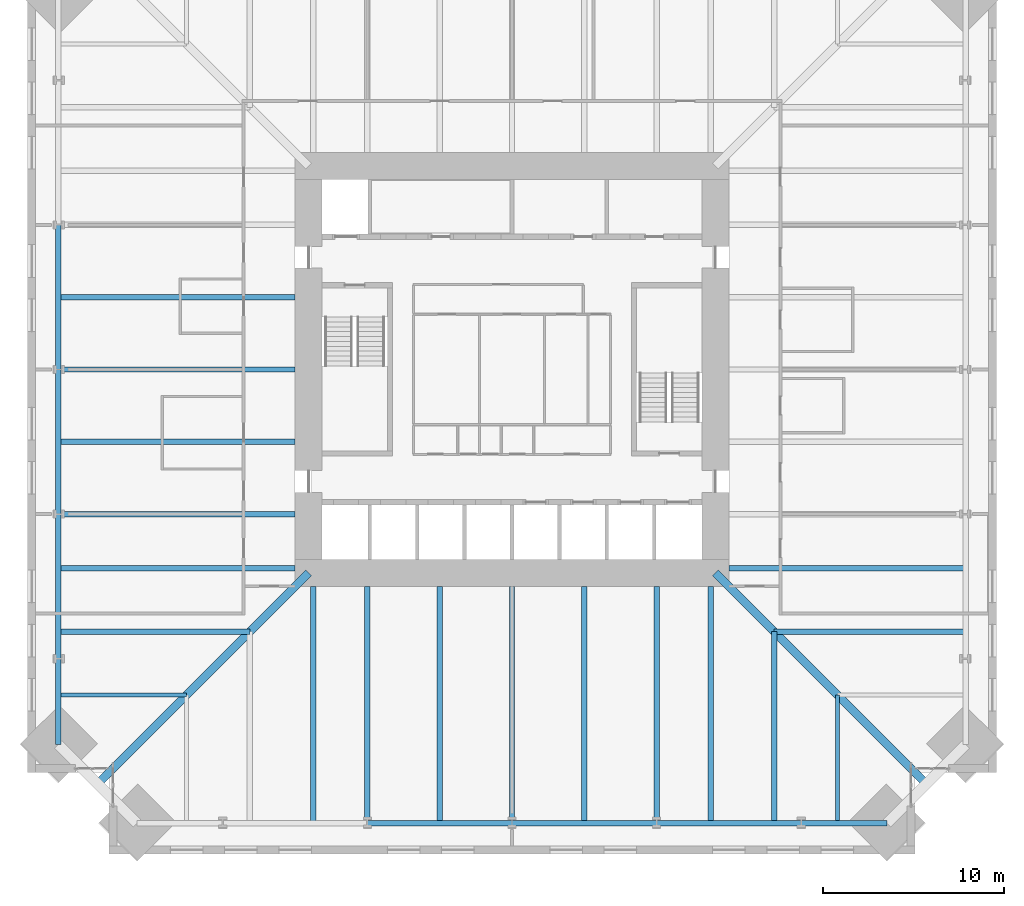
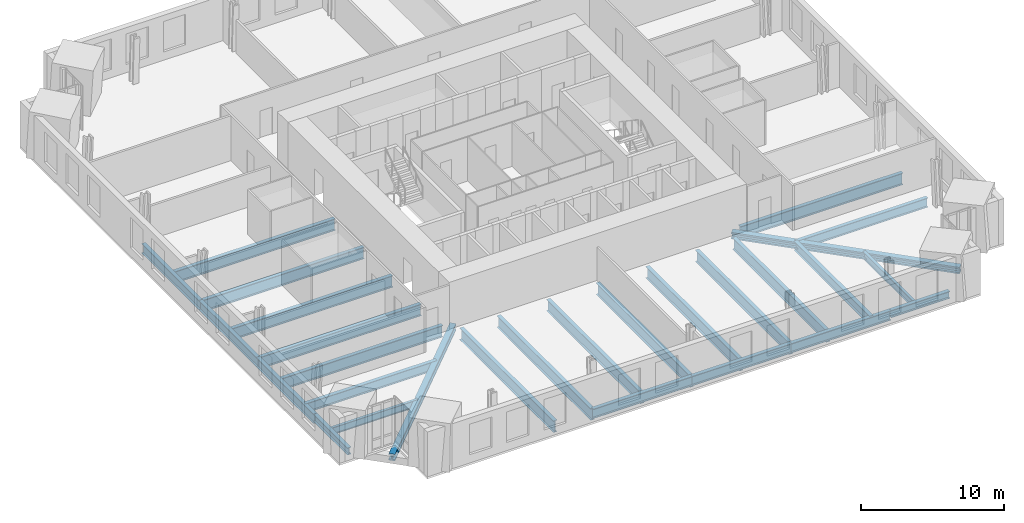
# One storey, part 3 of 17: 28 beams.
"""IFC4 building model written with IfcOpenShell, lengths in metres."""

from ifc_helpers import new_model, si_unit, direction, frame, origin, origin_2d, place, context, subcontext, project, spatial, i_section, extrude, material, material_profile, profile_set, type_object, element, save


model = new_model("IFC4")

# Units and contexts
model_context = context("Model", 3, precision=1e-05, world=origin(), true_north=direction((0.0, 1.0)))
body_context = subcontext(model_context, "Body", "Model", "MODEL_VIEW")
ifc_project = project(units=[si_unit("LENGTHUNIT", "METRE"), si_unit("AREAUNIT", "SQUARE_METRE"), si_unit("VOLUMEUNIT", "CUBIC_METRE"), si_unit("PLANEANGLEUNIT", "RADIAN"), si_unit("MASSUNIT", "GRAM", prefix="KILO")], contexts=[model_context])

# Site, building, storey
site_placement = place(None, origin())
site = spatial("IfcSite", under=ifc_project, at=site_placement, CompositionType="ELEMENT")
building_placement = place(site_placement, origin())
building = spatial("IfcBuilding", under=site, at=building_placement, Name="Peilmerk Tower", CompositionType="ELEMENT")
storey_placement = place(building_placement, frame((0.0, 0.0, 143.800048828125)))
storey = spatial("IfcBuildingStorey", under=building, at=storey_placement, Name="L29", CompositionType="ELEMENT", Elevation=143.800048828125)

# Beams
ifc_material_1 = material(Name="Steel S355", Category="steel")
ifc_material_profile_1 = material_profile(ifc_material_1, i_section(OverallWidth=0.219970703125, OverallDepth=0.60009765625, WebThickness=0.011962890625, FlangeThickness=0.01904296875, at=origin_2d()), Name="IPE 600")
ifc_profile_set_1 = profile_set([ifc_material_profile_1], Name="Steel S355")
beam_type_1 = type_object("IfcBeamType", Name="B10 IPE 600 floor beam", PredefinedType="BEAM", material=ifc_profile_set_1)
for number, where, z_axis, x_axis, name in (
    (1, (18.0, -18.0, -0.469970703125), (0.0, -1.0, 0.0), (1.0, 0.0, 0.0), "Floor beam L29"),
    (2, (-18.0, -18.0, -0.469970703125), (-1.0, 0.0, 0.0), (0.0, -1.0, 0.0), "Floor beam L29"),
):
    element("IfcBeam", number, at=place(storey_placement, frame(where, z_axis=z_axis, x_axis=x_axis)), inside=storey, type_object=beam_type_1, Name=name, PredefinedType="BEAM", context=body_context, shape_type="SweptSolid", body=[
        extrude(i_section(OverallWidth=0.219970703125, OverallDepth=0.60009765625, WebThickness=0.011962890625, FlangeThickness=0.01904296875, at=origin_2d()), origin(), (0.0, 0.0, 1.0), 7.098388671875),
    ])
ifc_material_profile_2 = material_profile(ifc_material_1, i_section(OverallWidth=0.302978515625, OverallDepth=0.81396484375, WebThickness=0.02099609375, FlangeThickness=0.0400390625, at=origin_2d()), Name="HEM 800")
ifc_profile_set_2 = profile_set([ifc_material_profile_2], Name="Steel S355")
beam_type_2 = type_object("IfcBeamType", Name="B15 HEM 800 edge beam", PredefinedType="SPANDREL", material=ifc_profile_set_2)
for number, where, z_axis, x_axis, name in (
    (3, (-8.0, -25.098388671875, -0.5771484375), (1.0, 0.0, 0.0), (0.0, 1.0, 0.0), "Edge beam L29"),
    (4, (0.0, -25.098388671875, -0.5771484375), (1.0, 0.0, 0.0), (0.0, 1.0, 0.0), "Edge beam L29"),
    (5, (8.0, -25.098388671875, -0.5771484375), (1.0, 0.0, 0.0), (0.0, 1.0, 0.0), "Edge beam L29"),
    (6, (-25.098388671875, 8.0, -0.5771484375), (0.0, -1.0, 0.0), (1.0, 0.0, 0.0), "Edge beam L29"),
    (7, (-25.098388671875, 0.0, -0.5771484375), (0.0, -1.0, 0.0), (1.0, 0.0, 0.0), "Edge beam L29"),
    (8, (-25.098388671875, -8.0, -0.5771484375), (0.0, -1.0, 0.0), (1.0, 0.0, 0.0), "Edge beam L29"),
):
    element("IfcBeam", number, at=place(storey_placement, frame(where, z_axis=z_axis, x_axis=x_axis)), inside=storey, type_object=beam_type_2, Name=name, PredefinedType="SPANDREL", context=body_context, shape_type="SweptSolid", body=[
        extrude(i_section(OverallWidth=0.302978515625, OverallDepth=0.81396484375, WebThickness=0.02099609375, FlangeThickness=0.0400390625, at=origin_2d()), origin(), (0.0, 0.0, 1.0), 8.0),
    ])
ifc_material_profile_3 = material_profile(ifc_material_1, i_section(OverallWidth=0.300048828125, OverallDepth=0.7900390625, WebThickness=0.014892578125, FlangeThickness=0.028076171875, at=origin_2d()), Name="HEA 800")
ifc_profile_set_3 = profile_set([ifc_material_profile_3], Name="Steel S355")
beam_type_3 = type_object("IfcBeamType", Name="B3 HEA 800 floor beam", PredefinedType="BEAM", material=ifc_profile_set_3)
for number, where, z_axis, x_axis, name in (
    (9, (14.5, -14.5, -0.56494140625), (0.0, -1.0, 0.0), (1.0, 0.0, 0.0), "Floor beam L29"),
    (10, (14.5, -14.5, -0.56494140625), (1.0, 0.0, 0.0), (0.0, 1.0, 0.0), "Floor beam L29"),
    (11, (-14.5, -14.5, -0.56494140625), (-1.0, 0.0, 0.0), (0.0, -1.0, 0.0), "Floor beam L29"),
):
    element("IfcBeam", number, at=place(storey_placement, frame(where, z_axis=z_axis, x_axis=x_axis)), inside=storey, type_object=beam_type_3, Name=name, PredefinedType="BEAM", context=body_context, shape_type="SweptSolid", body=[
        extrude(i_section(OverallWidth=0.300048828125, OverallDepth=0.7900390625, WebThickness=0.014892578125, FlangeThickness=0.028076171875, at=origin_2d()), origin(), (0.0, 0.0, 1.0), 10.598388671875),
    ])
ifc_material_profile_4 = material_profile(ifc_material_1, i_section(OverallWidth=0.304931640625, OverallDepth=0.6201171875, WebThickness=0.02099609375, FlangeThickness=0.0400390625, at=origin_2d()), Name="HEM 600")
ifc_profile_set_4 = profile_set([ifc_material_profile_4], Name="Steel S355")
beam_type_4 = type_object("IfcBeamType", Name="B31 HEM 600 edge beam", PredefinedType="SPANDREL", material=ifc_profile_set_4)
for number, where, z_axis, x_axis, name in (
    (12, (16.0, -25.098388671875, -0.47998046875), (1.0, 0.0, 0.0), (0.0, 1.0, 0.0), "Edge beam L29"),
    (13, (-25.098388671875, -16.0, -0.47998046875), (0.0, -1.0, 0.0), (1.0, 0.0, 0.0), "Edge beam L29"),
):
    element("IfcBeam", number, at=place(storey_placement, frame(where, z_axis=z_axis, x_axis=x_axis)), inside=storey, type_object=beam_type_4, Name=name, PredefinedType="SPANDREL", context=body_context, shape_type="SweptSolid", body=[
        extrude(i_section(OverallWidth=0.304931640625, OverallDepth=0.6201171875, WebThickness=0.02099609375, FlangeThickness=0.0400390625, at=origin_2d()), origin(), (0.0, 0.0, 1.0), 4.748291015625),
    ])
ifc_material_profile_5 = material_profile(ifc_material_1, i_section(OverallWidth=0.300048828125, OverallDepth=1.0, WebThickness=0.01904296875, FlangeThickness=0.035888671875, at=origin_2d()), Name="HEB 1000")
ifc_profile_set_5 = profile_set([ifc_material_profile_5], Name="Steel S355")
beam_type_5 = type_object("IfcBeamType", Name="B5 HEB 1000 floor girder", PredefinedType="BEAM", material=ifc_profile_set_5)
for number, where, z_axis, x_axis, name in (
    (14, (12.0, -11.0, -0.670166015625), (1.0, 0.0, 0.0), (0.0, 1.0, 0.0), "Floor beam L29"),
    (15, (-11.0, -12.0, -0.670166015625), (0.0, -1.0, 0.0), (1.0, 0.0, 0.0), "Floor beam L29"),
    (16, (-8.0, -12.0, -0.670166015625), (0.0, -1.0, 0.0), (1.0, 0.0, 0.0), "Floor beam L29"),
    (17, (-4.0, -12.0, -0.670166015625), (0.0, -1.0, 0.0), (1.0, 0.0, 0.0), "Floor beam L29"),
    (18, (0.0, -12.0, -0.670166015625), (0.0, -1.0, 0.0), (1.0, 0.0, 0.0), "Floor beam L29"),
    (19, (4.0, -12.0, -0.670166015625), (0.0, -1.0, 0.0), (1.0, 0.0, 0.0), "Floor beam L29"),
    (20, (8.0, -12.0, -0.670166015625), (0.0, -1.0, 0.0), (1.0, 0.0, 0.0), "Floor beam L29"),
    (21, (11.0, -12.0, -0.670166015625), (0.0, -1.0, 0.0), (1.0, 0.0, 0.0), "Floor beam L29"),
    (22, (-12.0, 4.0, -0.670166015625), (-1.0, 0.0, 0.0), (0.0, -1.0, 0.0), "Floor beam L29"),
    (23, (-12.0, 0.0, -0.670166015625), (-1.0, 0.0, 0.0), (0.0, -1.0, 0.0), "Floor beam L29"),
    (24, (-12.0, -4.0, -0.670166015625), (-1.0, 0.0, 0.0), (0.0, -1.0, 0.0), "Floor beam L29"),
    (25, (-12.0, -8.0, -0.670166015625), (-1.0, 0.0, 0.0), (0.0, -1.0, 0.0), "Floor beam L29"),
    (26, (-12.0, -11.0, -0.670166015625), (-1.0, 0.0, 0.0), (0.0, -1.0, 0.0), "Floor beam L29"),
):
    element("IfcBeam", number, at=place(storey_placement, frame(where, z_axis=z_axis, x_axis=x_axis)), inside=storey, type_object=beam_type_5, Name=name, PredefinedType="BEAM", context=body_context, shape_type="SweptSolid", body=[
        extrude(i_section(OverallWidth=0.300048828125, OverallDepth=1.0, WebThickness=0.01904296875, FlangeThickness=0.035888671875, at=origin_2d()), origin(), (0.0, 0.0, 1.0), 13.098388671875),
    ])
ifc_material_2 = material(Name="Steel S460", Category="steel")
ifc_material_profile_6 = material_profile(ifc_material_2, i_section(OverallWidth=0.4541015625, OverallDepth=0.569091796875, WebThickness=0.077880859375, FlangeThickness=0.125, at=origin_2d()), Name="HD 400x1086")
ifc_profile_set_6 = profile_set([ifc_material_profile_6], Name="Steel S460")
beam_type_6 = type_object("IfcBeamType", Name="B9 HD 400x1086 corner girder", PredefinedType="BEAM", material=ifc_profile_set_6)
for number, where, z_axis, x_axis, name in (
    (27, (11.25, -11.25, -0.45458984375), (0.707106781187, -0.707106781187, 0.0), (0.707106781187, 0.707106781187, 0.0), "Corner girder L29"),
    (28, (-11.25, -11.25, -0.45458984375), (-0.707106781187, -0.707106781187, 0.0), (0.707106781187, -0.707106781187, 0.0), "Corner girder L29"),
):
    element("IfcBeam", number, at=place(storey_placement, frame(where, z_axis=z_axis, x_axis=x_axis)), inside=storey, type_object=beam_type_6, Name=name, PredefinedType="BEAM", context=body_context, shape_type="SweptSolid", body=[
        extrude(i_section(OverallWidth=0.4541015625, OverallDepth=0.569091796875, WebThickness=0.077880859375, FlangeThickness=0.125, at=origin_2d()), origin(), (0.0, 0.0, 1.0), 16.508544921875),
    ])

save(model, "model.ifc")
